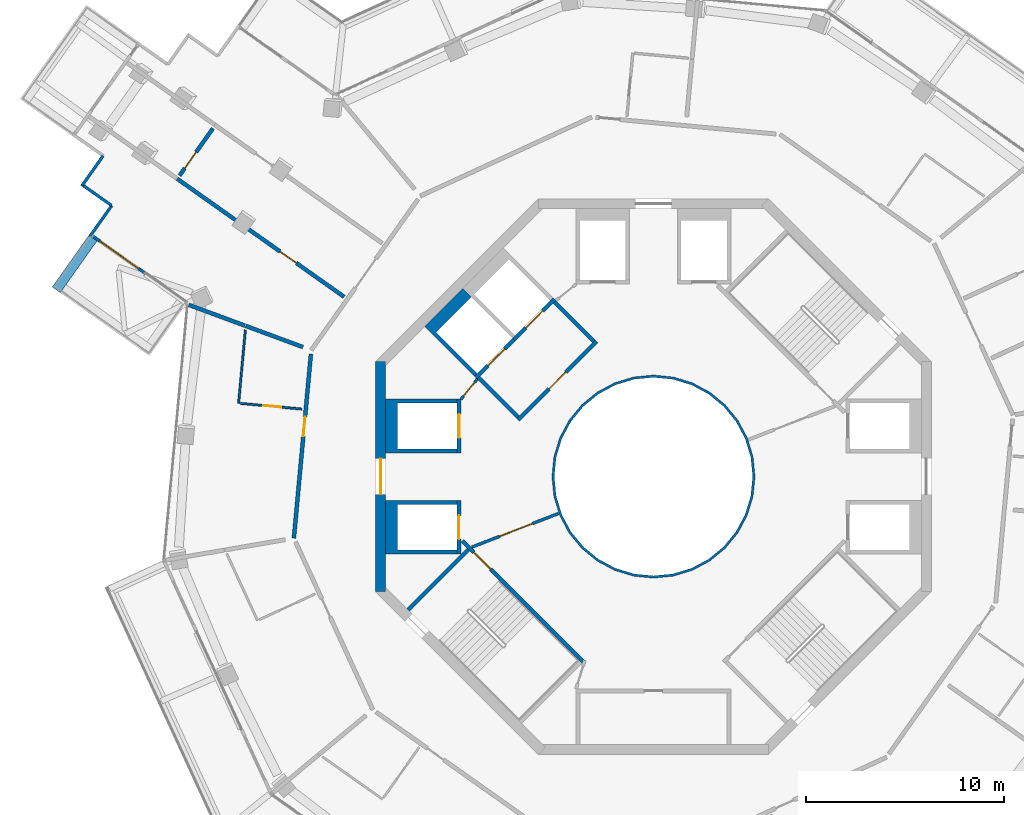
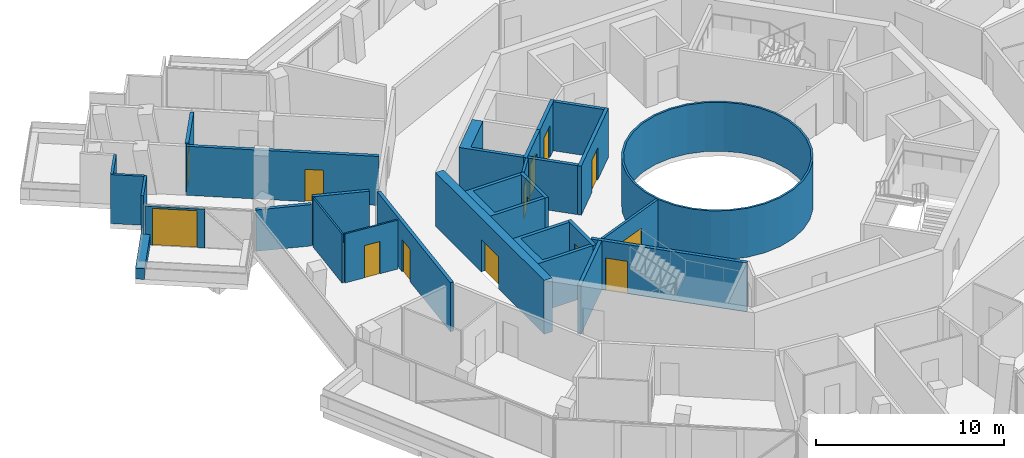
# One storey, part 17 of 23: 28 walls, 14 doors, 14 openings.
"""IFC4 building model written with IfcOpenShell, lengths in metres."""

from ifc_helpers import new_model, si_unit, direction, frame, frame_2d, origin, place, context, subcontext, project, spatial, polyline, rectangle, outline, extrude, material, layer, layer_set, type_object, element, fill, save


model = new_model("IFC4")

# Units and contexts
model_context = context("Model", 3, precision=1e-05, world=origin(), true_north=direction((0.0, 1.0)))
body_context = subcontext(model_context, "Body", "Model", "MODEL_VIEW")
ifc_project = project(units=[si_unit("LENGTHUNIT", "METRE"), si_unit("AREAUNIT", "SQUARE_METRE"), si_unit("VOLUMEUNIT", "CUBIC_METRE"), si_unit("PLANEANGLEUNIT", "RADIAN"), si_unit("MASSUNIT", "GRAM", prefix="KILO")], contexts=[model_context])

# Site, building, storey
site_placement = place(None, origin())
site = spatial("IfcSite", under=ifc_project, at=site_placement, CompositionType="ELEMENT")
building_placement = place(site_placement, origin())
building = spatial("IfcBuilding", under=site, at=building_placement, Name="Verdalira Terraces Hotel", CompositionType="ELEMENT")
storey_placement = place(building_placement, frame((0.0, 0.0, 256.0)))
storey = spatial("IfcBuildingStorey", under=building, at=storey_placement, Name="L63", CompositionType="ELEMENT", Elevation=256.0)

# Walls
ifc_material_1 = material(Name="Fire-resisting glass EI 180", Category="glass")
ifc_layer_1 = layer(ifc_material_1, 0.1201171875)
ifc_layer_set_1 = layer_set([ifc_layer_1], Name="Atrium fire screen 120 mm")
wall_type_1 = type_object("IfcWallType", Name="Atrium fire screen 120 mm", PredefinedType="SOLIDWALL", material=ifc_layer_set_1)
wall_1_placement = place(storey_placement, origin())
element("IfcWall", 1, at=wall_1_placement, inside=storey, type_object=wall_type_1, Name="Atrium fire screen", PredefinedType="SOLIDWALL", context=body_context, shape_type="SweptSolid", body=[
    extrude(outline(polyline([(5.021484, -0.998779), (4.730225, -1.959229), (4.25708, -2.844482), (3.620361, -3.620361), (2.844482, -4.25708), (1.959229, -4.730225), (0.998779, -5.021484), (0.0, -5.120117), (-0.998779, -5.021484), (-1.959229, -4.730225), (-2.844482, -4.25708), (-3.620361, -3.620361), (-4.25708, -2.844482), (-4.730225, -1.959229), (-5.021484, -0.998779), (-5.120117, 0.0), (-5.021484, 0.998779), (-4.730225, 1.959229), (-4.25708, 2.844482), (-3.620361, 3.620361), (-2.844482, 4.25708), (-1.959229, 4.730225), (-0.998779, 5.021484), (0.0, 5.120117), (0.998779, 5.021484), (1.959229, 4.730225), (2.844482, 4.25708), (3.620361, 3.620361), (4.25708, 2.844482), (4.730225, 1.959229), (5.021484, 0.998779), (5.120117, 0.0), (5.021484, -0.998779)]), holes=[polyline([(4.903809, 0.975586), (4.619385, 1.91333), (4.157227, 2.777832), (3.5354, 3.5354), (2.777832, 4.157227), (1.91333, 4.619385), (0.975586, 4.903809), (0.0, 5.0), (-0.975586, 4.903809), (-1.91333, 4.619385), (-2.777832, 4.157227), (-3.5354, 3.5354), (-4.157227, 2.777832), (-4.619385, 1.91333), (-4.903809, 0.975586), (-5.0, 0.0), (-4.903809, -0.975586), (-4.619385, -1.91333), (-4.157227, -2.777832), (-3.5354, -3.5354), (-2.777832, -4.157227), (-1.91333, -4.619385), (-0.975586, -4.903809), (0.0, -5.0), (0.975586, -4.903809), (1.91333, -4.619385), (2.777832, -4.157227), (3.5354, -3.5354), (4.157227, -2.777832), (4.619385, -1.91333), (4.903809, -0.975586), (5.0, 0.0), (4.903809, 0.975586)])]), origin(), (0.0, 0.0, 1.0), 3.189941),
])
ifc_material_2 = material(Name="Concrete C40", Category="concrete")
ifc_layer_2 = layer(ifc_material_2, 0.5)
ifc_layer_set_2 = layer_set([ifc_layer_2], Name="Balcony planter trough with tree")
wall_type_2 = type_object("IfcWallType", Name="Balcony planter trough with tree", PredefinedType="SOLIDWALL", material=ifc_layer_set_2)
wall_2_placement = place(storey_placement, frame((-28.248291, 12.022461, 0.0), z_axis=(0.0, 0.0, 1.0), x_axis=(-0.57759375, -0.816324359, 0.0)))
element("IfcWall", 2, at=wall_2_placement, inside=storey, type_object=wall_type_2, Name="Balcony planter", PredefinedType="SOLIDWALL", context=body_context, shape_type="SweptSolid", body=[
    extrude(rectangle(XDim=3.198975, YDim=0.5, at=frame_2d((1.599609, 0.0))), origin(), (0.0, 0.0, 1.0), 0.699951),
])
ifc_material_3 = material(Name="Moisture-resistant gypsum board partition")
ifc_layer_3 = layer(ifc_material_3, 0.10009765625)
ifc_layer_set_3 = layer_set([ifc_layer_3], Name="Bathroom partition 100 mm")
wall_type_3 = type_object("IfcWallType", Name="Bathroom partition 100 mm", PredefinedType="PARTITIONING", material=ifc_layer_set_3)
wall_3_placement = place(storey_placement, frame((-20.906738, 3.697998, 0.0), z_axis=(0.0, 0.0, 1.0), x_axis=(0.092015462, 0.995757578, 0.0)))
element("IfcWall", 3, at=wall_3_placement, inside=storey, type_object=wall_type_3, Name="Bathroom partition", PredefinedType="PARTITIONING", context=body_context, shape_type="SweptSolid", body=[
    extrude(rectangle(XDim=3.703857, YDim=0.100098, at=frame_2d((1.852051, 0.0))), origin(), (0.0, 0.0, 1.0), 3.189941),
])

# Wall, opening, door
wall_4_placement = place(storey_placement, frame((-20.807129, 3.688721, 0.0), z_axis=(0.0, 0.0, 1.0), x_axis=(0.99575325, -0.092062286, 0.0)))
wall_4 = element("IfcWall", 4, at=wall_4_placement, inside=storey, type_object=wall_type_3, Name="Bathroom partition", PredefinedType="PARTITIONING", context=body_context, shape_type="SweptSolid", body=[
    extrude(rectangle(XDim=3.100098, YDim=0.100098, at=frame_2d((1.550049, 0.0))), origin(), (0.0, 0.0, 1.0), 3.189941),
])
opening_1_placement = place(wall_4_placement, frame((1.149902, 0.0, 0.0)))
opening_1 = element("IfcOpeningElement", 5, at=opening_1_placement, cuts=wall_4, Name="Opening L63-106", PredefinedType="OPENING", context=body_context, shape_type="SweptSolid", body=[
    extrude(rectangle(XDim=0.899902, YDim=2.100098, at=frame_2d((0.449951, 1.050049))), frame((0.0, 0.060059, 0.0), z_axis=(0.0, -1.0, 0.0), x_axis=(1.0, 0.0, 0.0)), (0.0, 0.0, 1.0), 0.120117),
])
ifc_material_4 = material(Name="Timber door", Category="wood")
door_type_1 = type_object("IfcDoorType", Name="Bathroom door 900 x 2100", OperationType="NOTDEFINED", PredefinedType="DOOR", material=ifc_material_4)
door_1_placement = place(opening_1_placement, origin())
door_1 = element("IfcDoor", 6, at=door_1_placement, inside=storey, type_object=door_type_1, Name="Bathroom door 6302", OperationType="SINGLE_SWING_LEFT", OverallHeight=2.10009765625, OverallWidth=0.89990234375, PredefinedType="DOOR", context=body_context, shape_type="SweptSolid", body=[
    extrude(rectangle(XDim=0.899902, YDim=2.100098, at=frame_2d((0.449951, 1.050049))), frame((0.0, 0.024902, 0.0), z_axis=(0.0, -1.0, 0.0), x_axis=(1.0, 0.0, 0.0)), (0.0, 0.0, 1.0), 0.050049),
])
fill(opening_1, door_1)

# Wall
ifc_material_5 = material(Name="Concrete C50", Category="concrete")
ifc_layer_4 = layer(ifc_material_5, 0.199951171875)
ifc_layer_set_4 = layer_set([ifc_layer_4], Name="Core RC wall 200 C50")
wall_type_4 = type_object("IfcWallType", Name="Core RC wall 200 C50", PredefinedType="SOLIDWALL", material=ifc_layer_set_4)
wall_5_placement = place(storey_placement, origin())
element("IfcWall", 7, at=wall_5_placement, inside=storey, type_object=wall_type_4, Name="L63 shaft wall W1", PredefinedType="SOLIDWALL", context=body_context, shape_type="SweptSolid", body=[
    extrude(outline(polyline([(-13.5, 3.899902), (-9.899902, 3.899902), (-9.899902, 3.699951), (-12.899902, 3.699951), (-12.899902, 1.399902), (-9.899902, 1.399902), (-9.899902, 1.199951), (-13.5, 1.199951), (-13.5, 3.899902)])), origin(), (0.0, 0.0, 1.0), 3.189941),
])

# Wall, opening, door
wall_6_placement = place(storey_placement, frame((-9.800049, 1.199951, 0.0), z_axis=(0.0, 0.0, 1.0), x_axis=(0.0, 1.0, 0.0)))
wall_6 = element("IfcWall", 8, at=wall_6_placement, inside=storey, type_object=wall_type_4, Name="L63 shaft front wall W1", PredefinedType="SOLIDWALL", context=body_context, shape_type="SweptSolid", body=[
    extrude(rectangle(XDim=2.699951, YDim=0.199951, at=frame_2d((1.350098, 0.0))), origin(), (0.0, 0.0, 1.0), 3.189941),
])
opening_2_placement = place(wall_6_placement, frame((0.75, 0.0, 0.0)))
opening_2 = element("IfcOpeningElement", 9, at=opening_2_placement, cuts=wall_6, Name="Opening LD-L63-806", PredefinedType="OPENING", context=body_context, shape_type="SweptSolid", body=[
    extrude(rectangle(XDim=1.199951, YDim=2.100098, at=frame_2d((0.600098, 1.050049))), frame((0.0, 0.109863, 0.0), z_axis=(0.0, -1.0, 0.0), x_axis=(1.0, 0.0, 0.0)), (0.0, 0.0, 1.0), 0.219971),
])
ifc_material_6 = material(Name="Stainless steel", Category="steel")
door_type_2 = type_object("IfcDoorType", Name="Landing door 1200 x 2100", OperationType="NOTDEFINED", PredefinedType="DOOR", material=ifc_material_6)
door_2_placement = place(opening_2_placement, origin())
door_2 = element("IfcDoor", 10, at=door_2_placement, inside=storey, type_object=door_type_2, Name="Lift landing door HR5 L63", OperationType="DOUBLE_DOOR_SLIDING", OverallHeight=2.10009765625, OverallWidth=1.199951171875, PredefinedType="DOOR", context=body_context, shape_type="SweptSolid", body=[
    extrude(rectangle(XDim=1.199951, YDim=2.100098, at=frame_2d((0.600098, 1.050049))), frame((0.0, 0.024902, 0.0), z_axis=(0.0, -1.0, 0.0), x_axis=(1.0, 0.0, 0.0)), (0.0, 0.0, 1.0), 0.050049),
])
fill(opening_2, door_2)

# Wall
wall_7_placement = place(storey_placement, origin())
element("IfcWall", 11, at=wall_7_placement, inside=storey, type_object=wall_type_4, Name="L63 shaft wall W2", PredefinedType="SOLIDWALL", context=body_context, shape_type="SweptSolid", body=[
    extrude(outline(polyline([(-13.5, -3.899902), (-13.5, -1.199951), (-9.899902, -1.199951), (-9.899902, -1.399902), (-12.899902, -1.399902), (-12.899902, -3.699951), (-9.899902, -3.699951), (-9.899902, -3.899902), (-13.5, -3.899902)])), origin(), (0.0, 0.0, 1.0), 3.189941),
])

# Wall, opening, door
wall_8_placement = place(storey_placement, frame((-9.800049, -1.199951, 0.0), z_axis=(0.0, 0.0, 1.0), x_axis=(0.0, -1.0, 0.0)))
wall_8 = element("IfcWall", 12, at=wall_8_placement, inside=storey, type_object=wall_type_4, Name="L63 shaft front wall W2", PredefinedType="SOLIDWALL", context=body_context, shape_type="SweptSolid", body=[
    extrude(rectangle(XDim=2.699951, YDim=0.199951, at=frame_2d((1.350098, 0.0))), origin(), (0.0, 0.0, 1.0), 3.189941),
])
opening_3_placement = place(wall_8_placement, frame((0.75, 0.0, 0.0)))
opening_3 = element("IfcOpeningElement", 13, at=opening_3_placement, cuts=wall_8, Name="Opening LD-L63-807", PredefinedType="OPENING", context=body_context, shape_type="SweptSolid", body=[
    extrude(rectangle(XDim=1.199951, YDim=2.100098, at=frame_2d((0.600098, 1.050049))), frame((0.0, 0.109863, 0.0), z_axis=(0.0, -1.0, 0.0), x_axis=(1.0, 0.0, 0.0)), (0.0, 0.0, 1.0), 0.219971),
])
door_3_placement = place(opening_3_placement, origin())
door_3 = element("IfcDoor", 14, at=door_3_placement, inside=storey, type_object=door_type_2, Name="Lift landing door HR6 L63", OperationType="DOUBLE_DOOR_SLIDING", OverallHeight=2.10009765625, OverallWidth=1.199951171875, PredefinedType="DOOR", context=body_context, shape_type="SweptSolid", body=[
    extrude(rectangle(XDim=1.199951, YDim=2.100098, at=frame_2d((0.600098, 1.050049))), frame((0.0, 0.024902, 0.0), z_axis=(0.0, -1.0, 0.0), x_axis=(1.0, 0.0, 0.0)), (0.0, 0.0, 1.0), 0.050049),
])
fill(opening_3, door_3)

wall_9_placement = place(storey_placement, frame((-4.985107, 8.944824, 0.0), z_axis=(0.0, 0.0, 1.0), x_axis=(-0.707106781, -0.707106781, 0.0)))
wall_9 = element("IfcWall", 15, at=wall_9_placement, inside=storey, type_object=wall_type_4, Name="L63 shaft front wall F1", PredefinedType="SOLIDWALL", context=body_context, shape_type="SweptSolid", body=[
    extrude(rectangle(XDim=2.899902, YDim=0.199951, at=frame_2d((1.449951, 0.0))), origin(), (0.0, 0.0, 1.0), 3.189941),
])
opening_4_placement = place(wall_9_placement, frame((0.850098, 0.0, 0.0)))
opening_4 = element("IfcOpeningElement", 16, at=opening_4_placement, cuts=wall_9, Name="Opening LD-L63-808", PredefinedType="OPENING", context=body_context, shape_type="SweptSolid", body=[
    extrude(rectangle(XDim=1.199951, YDim=2.100098, at=frame_2d((0.600098, 1.050049))), frame((0.0, 0.109863, 0.0), z_axis=(0.0, -1.0, 0.0), x_axis=(1.0, 0.0, 0.0)), (0.0, 0.0, 1.0), 0.219971),
])
door_4_placement = place(opening_4_placement, origin())
door_4 = element("IfcDoor", 17, at=door_4_placement, inside=storey, type_object=door_type_2, Name="Lift landing door LF11 L63", OperationType="DOUBLE_DOOR_SLIDING", OverallHeight=2.10009765625, OverallWidth=1.199951171875, PredefinedType="DOOR", context=body_context, shape_type="SweptSolid", body=[
    extrude(rectangle(XDim=1.199951, YDim=2.100098, at=frame_2d((0.600098, 1.050049))), frame((0.0, 0.024902, 0.0), z_axis=(0.0, -1.0, 0.0), x_axis=(1.0, 0.0, 0.0)), (0.0, 0.0, 1.0), 0.050049),
])
fill(opening_4, door_4)

# Wall
wall_10_placement = place(storey_placement, origin())
element("IfcWall", 18, at=wall_10_placement, inside=storey, type_object=wall_type_4, Name="L63 shaft wall F2", PredefinedType="SOLIDWALL", context=body_context, shape_type="SweptSolid", body=[
    extrude(outline(polyline([(-11.525879, 7.565918), (-9.616699, 9.475098), (-9.192383, 9.051025), (-10.960205, 7.283203), (-8.874268, 5.197266), (-9.015625, 5.055908), (-11.525879, 7.565918)])), origin(), (0.0, 0.0, 1.0), 3.189941),
])

# Wall, opening, door
wall_11_placement = place(storey_placement, frame((-7.035645, 6.894287, 0.0), z_axis=(0.0, 0.0, 1.0), x_axis=(-0.707106781, -0.707106781, 0.0)))
wall_11 = element("IfcWall", 19, at=wall_11_placement, inside=storey, type_object=wall_type_4, Name="L63 shaft front wall F2", PredefinedType="SOLIDWALL", context=body_context, shape_type="SweptSolid", body=[
    extrude(rectangle(XDim=2.699951, YDim=0.199951, at=frame_2d((1.350098, 0.0))), origin(), (0.0, 0.0, 1.0), 3.189941),
])
opening_5_placement = place(wall_11_placement, frame((0.649902, 0.0, 0.0)))
opening_5 = element("IfcOpeningElement", 20, at=opening_5_placement, cuts=wall_11, Name="Opening LD-L63-809", PredefinedType="OPENING", context=body_context, shape_type="SweptSolid", body=[
    extrude(rectangle(XDim=1.199951, YDim=2.100098, at=frame_2d((0.600098, 1.050049))), frame((0.0, 0.109863, 0.0), z_axis=(0.0, -1.0, 0.0), x_axis=(1.0, 0.0, 0.0)), (0.0, 0.0, 1.0), 0.219971),
])
door_5_placement = place(opening_5_placement, origin())
door_5 = element("IfcDoor", 21, at=door_5_placement, inside=storey, type_object=door_type_2, Name="Lift landing door LF12 L63", OperationType="DOUBLE_DOOR_SLIDING", OverallHeight=2.10009765625, OverallWidth=1.199951171875, PredefinedType="DOOR", context=body_context, shape_type="SweptSolid", body=[
    extrude(rectangle(XDim=1.199951, YDim=2.100098, at=frame_2d((0.600098, 1.050049))), frame((0.0, 0.024902, 0.0), z_axis=(0.0, -1.0, 0.0), x_axis=(1.0, 0.0, 0.0)), (0.0, 0.0, 1.0), 0.050049),
])
fill(opening_5, door_5)

wall_12_placement = place(storey_placement, frame((-3.5354, -9.33374, 0.0), z_axis=(0.0, 0.0, 1.0), x_axis=(-0.707120946, 0.707092617, 0.0)))
wall_12 = element("IfcWall", 22, at=wall_12_placement, inside=storey, type_object=wall_type_4, Name="L63 stair ST2 front wall", PredefinedType="SOLIDWALL", context=body_context, shape_type="SweptSolid", body=[
    extrude(rectangle(XDim=8.61792, YDim=0.199951, at=frame_2d((4.309082, 0.0))), origin(), (0.0, 0.0, 1.0), 3.189941),
])
opening_6_placement = place(wall_12_placement, frame((6.600098, 0.0, 0.0)))
opening_6 = element("IfcOpeningElement", 23, at=opening_6_placement, cuts=wall_12, Name="Opening L63-811", PredefinedType="OPENING", context=body_context, shape_type="SweptSolid", body=[
    extrude(rectangle(XDim=1.199951, YDim=2.100098, at=frame_2d((0.600098, 1.050049))), frame((0.0, 0.109863, 0.0), z_axis=(0.0, -1.0, 0.0), x_axis=(1.0, 0.0, 0.0)), (0.0, 0.0, 1.0), 0.219971),
])
ifc_material_7 = material(Name="Steel fire door", Category="steel")
door_type_3 = type_object("IfcDoorType", Name="Stair door 1200 x 2100", OperationType="NOTDEFINED", PredefinedType="DOOR", material=ifc_material_7)
door_6_placement = place(opening_6_placement, origin())
door_6 = element("IfcDoor", 24, at=door_6_placement, inside=storey, type_object=door_type_3, Name="Stair door ST2 L63", OperationType="SINGLE_SWING_RIGHT", OverallHeight=2.10009765625, OverallWidth=1.199951171875, PredefinedType="DOOR", context=body_context, shape_type="SweptSolid", body=[
    extrude(rectangle(XDim=1.199951, YDim=2.100098, at=frame_2d((0.600098, 1.050049))), frame((0.0, 0.024902, 0.0), z_axis=(0.0, -1.0, 0.0), x_axis=(1.0, 0.0, 0.0)), (0.0, 0.0, 1.0), 0.050049),
])
fill(opening_6, door_6)

# Wall
wall_13_placement = place(storey_placement, frame((-9.33374, -3.677002, 0.0), z_axis=(0.0, 0.0, 1.0), x_axis=(-0.707135168, -0.707078393, 0.0)))
element("IfcWall", 25, at=wall_13_placement, inside=storey, type_object=wall_type_4, Name="L63 stair ST2 end wall 1", PredefinedType="SOLIDWALL", context=body_context, shape_type="SweptSolid", body=[
    extrude(rectangle(XDim=4.300049, YDim=0.199951, at=frame_2d((2.149902, 0.0))), origin(), (0.0, 0.0, 1.0), 3.189941),
])

# Wall, opening, door
wall_14_placement = place(storey_placement, frame((-2.86377, 6.823486, 0.0), z_axis=(0.0, 0.0, 1.0), x_axis=(-0.707106781, -0.707106781, 0.0)))
wall_14 = element("IfcWall", 26, at=wall_14_placement, inside=storey, type_object=wall_type_4, Name="L63 fire lobby wall", PredefinedType="SOLIDWALL", context=body_context, shape_type="SweptSolid", body=[
    extrude(rectangle(XDim=5.599854, YDim=0.199951, at=frame_2d((2.799805, 0.0))), origin(), (0.0, 0.0, 1.0), 3.189941),
])
opening_7_placement = place(wall_14_placement, frame((2.199951, 0.0, 0.0)))
opening_7 = element("IfcOpeningElement", 27, at=opening_7_placement, cuts=wall_14, Name="Opening L63-819", PredefinedType="OPENING", context=body_context, shape_type="SweptSolid", body=[
    extrude(rectangle(XDim=1.199951, YDim=2.100098, at=frame_2d((0.600098, 1.050049))), frame((0.0, 0.109863, 0.0), z_axis=(0.0, -1.0, 0.0), x_axis=(1.0, 0.0, 0.0)), (0.0, 0.0, 1.0), 0.219971),
])
ifc_material_8 = material(Name="Steel fire door", Category="steel")
door_type_4 = type_object("IfcDoorType", Name="Lobby door 1200 x 2100", OperationType="NOTDEFINED", PredefinedType="DOOR", material=ifc_material_8)
door_7_placement = place(opening_7_placement, origin())
door_7 = element("IfcDoor", 28, at=door_7_placement, inside=storey, type_object=door_type_4, Name="Fire lobby door L63", OperationType="SINGLE_SWING_LEFT", OverallHeight=2.10009765625, OverallWidth=1.199951171875, PredefinedType="DOOR", context=body_context, shape_type="SweptSolid", body=[
    extrude(rectangle(XDim=1.199951, YDim=2.100098, at=frame_2d((0.600098, 1.050049))), frame((0.0, 0.024902, 0.0), z_axis=(0.0, -1.0, 0.0), x_axis=(1.0, 0.0, 0.0)), (0.0, 0.0, 1.0), 0.050049),
])
fill(opening_7, door_7)

# Walls
for number, where, z_axis, x_axis, name in (
    (29, (-3.005127, 6.823486, 0.0), (0.0, 0.0, 1.0), (-0.707106781, 0.707106781, 0.0), "L63 fire lobby wall"),
    (30, (-6.823486, 3.005127, 0.0), (0.0, 0.0, 1.0), (-0.707106781, 0.707106781, 0.0), "L63 fire lobby wall"),
):
    element("IfcWall", number, at=place(storey_placement, frame(where, z_axis=z_axis, x_axis=x_axis)), inside=storey, type_object=wall_type_4, Name=name, PredefinedType="SOLIDWALL", context=body_context, shape_type="SweptSolid", body=[
        extrude(rectangle(XDim=2.800049, YDim=0.199951, at=frame_2d((1.399902, 0.0))), origin(), (0.0, 0.0, 1.0), 3.189941),
    ])

# Wall, opening, door
ifc_material_9 = material(Name="Gypsum board partition")
ifc_layer_5 = layer(ifc_material_9, 0.14990234375)
ifc_layer_set_5 = layer_set([ifc_layer_5], Name="Core partition 150 mm")
wall_type_5 = type_object("IfcWallType", Name="Core partition 150 mm", PredefinedType="PARTITIONING", material=ifc_layer_set_5)
wall_15_placement = place(storey_placement, frame((-8.874268, 4.914307, 0.0), z_axis=(0.0, 0.0, 1.0), x_axis=(-0.631274009, -0.775559878, 0.0)))
wall_15 = element("IfcWall", 31, at=wall_15_placement, inside=storey, type_object=wall_type_5, Name="Room partition L63", PredefinedType="PARTITIONING", context=body_context, shape_type="SweptSolid", body=[
    extrude(rectangle(XDim=1.307861, YDim=0.149902, at=frame_2d((0.653809, 0.0))), origin(), (0.0, 0.0, 1.0), 3.189941),
])
opening_8_placement = place(wall_15_placement, frame((0.204102, 0.0, 0.0)))
opening_8 = element("IfcOpeningElement", 32, at=opening_8_placement, cuts=wall_15, Name="Opening L63-821", PredefinedType="OPENING", context=body_context, shape_type="SweptSolid", body=[
    extrude(rectangle(XDim=0.899902, YDim=2.100098, at=frame_2d((0.449951, 1.050049))), frame((0.0, 0.084961, 0.0), z_axis=(0.0, -1.0, 0.0), x_axis=(1.0, 0.0, 0.0)), (0.0, 0.0, 1.0), 0.169922),
])
ifc_material_10 = material(Name="Steel fire door", Category="steel")
door_type_5 = type_object("IfcDoorType", Name="Core room door 900 x 2100", OperationType="NOTDEFINED", PredefinedType="DOOR", material=ifc_material_10)
door_8_placement = place(opening_8_placement, origin())
door_8 = element("IfcDoor", 33, at=door_8_placement, inside=storey, type_object=door_type_5, Name="Door L63 room3", OperationType="SINGLE_SWING_LEFT", OverallHeight=2.10009765625, OverallWidth=0.89990234375, PredefinedType="DOOR", context=body_context, shape_type="SweptSolid", body=[
    extrude(rectangle(XDim=0.899902, YDim=2.100098, at=frame_2d((0.449951, 1.050049))), frame((0.0, 0.024902, 0.0), z_axis=(0.0, -1.0, 0.0), x_axis=(1.0, 0.0, 0.0)), (0.0, 0.0, 1.0), 0.050049),
])
fill(opening_8, door_8)

wall_16_placement = place(storey_placement, frame((-4.781982, -1.857178, 0.0), z_axis=(0.0, 0.0, 1.0), x_axis=(-0.932155279, -0.362058746, 0.0)))
wall_16 = element("IfcWall", 34, at=wall_16_placement, inside=storey, type_object=wall_type_5, Name="Gallery fire partition L63", PredefinedType="PARTITIONING", context=body_context, shape_type="SweptSolid", body=[
    extrude(rectangle(XDim=4.682373, YDim=0.149902, at=frame_2d((2.341309, 0.0))), origin(), (0.0, 0.0, 1.0), 3.189941),
])
opening_9_placement = place(wall_16_placement, frame((1.399902, 0.0, 0.0)))
opening_9 = element("IfcOpeningElement", 35, at=opening_9_placement, cuts=wall_16, Name="Opening L63-824", PredefinedType="OPENING", context=body_context, shape_type="SweptSolid", body=[
    extrude(rectangle(XDim=1.800049, YDim=2.100098, at=frame_2d((0.899902, 1.050049))), frame((0.0, 0.084961, 0.0), z_axis=(0.0, -1.0, 0.0), x_axis=(1.0, 0.0, 0.0)), (0.0, 0.0, 1.0), 0.169922),
])
ifc_material_11 = material(Name="Steel fire door", Category="steel")
door_type_6 = type_object("IfcDoorType", Name="Gallery fire door pair 1800 x 2100", OperationType="NOTDEFINED", PredefinedType="DOOR", material=ifc_material_11)
door_9_placement = place(opening_9_placement, origin())
door_9 = element("IfcDoor", 36, at=door_9_placement, inside=storey, type_object=door_type_6, Name="Door L63 split4", OperationType="DOUBLE_DOOR_SINGLE_SWING", OverallHeight=2.10009765625, OverallWidth=1.800048828125, PredefinedType="DOOR", context=body_context, shape_type="SweptSolid", body=[
    extrude(rectangle(XDim=1.800049, YDim=2.100098, at=frame_2d((0.899902, 1.050049))), frame((0.0, 0.024902, 0.0), z_axis=(0.0, -1.0, 0.0), x_axis=(1.0, 0.0, 0.0)), (0.0, 0.0, 1.0), 0.050049),
])
fill(opening_9, door_9)

ifc_material_12 = material(Name="Concrete C50", Category="concrete")
ifc_layer_6 = layer(ifc_material_12, 0.5)
ifc_layer_set_6 = layer_set([ifc_layer_6], Name="Core wall 500 C50")
wall_type_6 = type_object("IfcWallType", Name="Core wall 500 C50", PredefinedType="SHEAR", material=ifc_layer_set_6)
wall_17_placement = place(storey_placement, frame((-13.75, 5.799072, 0.0), z_axis=(0.0, 0.0, 1.0), x_axis=(0.0, -1.0, 0.0)))
wall_17 = element("IfcWall", 37, at=wall_17_placement, inside=storey, type_object=wall_type_6, Name="Core wall CW-L63-5", PredefinedType="SHEAR", context=body_context, shape_type="SweptSolid", body=[
    extrude(rectangle(XDim=11.598145, YDim=0.5, at=frame_2d((5.799072, 0.0))), origin(), (0.0, 0.0, 1.0), 3.5),
])
opening_10_placement = place(wall_17_placement, frame((4.898926, 0.0, 0.0)))
opening_10 = element("IfcOpeningElement", 38, at=opening_10_placement, cuts=wall_17, Name="Opening L63-815", PredefinedType="OPENING", context=body_context, shape_type="SweptSolid", body=[
    extrude(rectangle(XDim=1.800049, YDim=2.100098, at=frame_2d((0.899902, 1.050049))), frame((0.0, 0.26001, 0.0), z_axis=(0.0, -1.0, 0.0), x_axis=(1.0, 0.0, 0.0)), (0.0, 0.0, 1.0), 0.52002),
])
ifc_material_13 = material(Name="Steel fire door", Category="steel")
door_type_7 = type_object("IfcDoorType", Name="Core entry door pair 1800 x 2100", OperationType="NOTDEFINED", PredefinedType="DOOR", material=ifc_material_13)
door_10_placement = place(opening_10_placement, origin())
door_10 = element("IfcDoor", 39, at=door_10_placement, inside=storey, type_object=door_type_7, Name="Core entry door L63 4", OperationType="DOUBLE_DOOR_SINGLE_SWING", OverallHeight=2.10009765625, OverallWidth=1.800048828125, PredefinedType="DOOR", context=body_context, shape_type="SweptSolid", body=[
    extrude(rectangle(XDim=1.800049, YDim=2.100098, at=frame_2d((0.899902, 1.050049))), frame((0.0, 0.024902, 0.0), z_axis=(0.0, -1.0, 0.0), x_axis=(1.0, 0.0, 0.0)), (0.0, 0.0, 1.0), 0.050049),
])
fill(opening_10, door_10)

ifc_material_14 = material(Name="Fire-rated gypsum board wall")
ifc_layer_7 = layer(ifc_material_14, 0.199951171875)
ifc_layer_set_7 = layer_set([ifc_layer_7], Name="Demising wall 200 mm")
wall_type_7 = type_object("IfcWallType", Name="Demising wall 200 mm", PredefinedType="SOLIDWALL", material=ifc_layer_set_7)
wall_18_placement = place(storey_placement, frame((-23.882812, 15.170166, 0.0), z_axis=(0.0, 0.0, 1.0), x_axis=(0.577564111, 0.81634533, 0.0)))
wall_18 = element("IfcWall", 40, at=wall_18_placement, inside=storey, type_object=wall_type_7, Name="Demising wall", PredefinedType="SOLIDWALL", context=body_context, shape_type="SweptSolid", body=[
    extrude(rectangle(XDim=2.915039, YDim=0.199951, at=frame_2d((1.45752, 0.0))), origin(), (0.0, 0.0, 1.0), 3.189941),
])
opening_11_placement = place(wall_18_placement, frame((0.449951, 0.0, 0.0)))
opening_11 = element("IfcOpeningElement", 41, at=opening_11_placement, cuts=wall_18, Name="Opening L63-104", PredefinedType="OPENING", context=body_context, shape_type="SweptSolid", body=[
    extrude(rectangle(XDim=1.0, YDim=2.100098, at=frame_2d((0.5, 1.050049))), frame((0.0, 0.109863, 0.0), z_axis=(0.0, -1.0, 0.0), x_axis=(1.0, 0.0, 0.0)), (0.0, 0.0, 1.0), 0.219971),
])
ifc_material_15 = material(Name="Timber fire door", Category="wood")
door_type_8 = type_object("IfcDoorType", Name="Public room door 1000 x 2100", OperationType="NOTDEFINED", PredefinedType="DOOR", material=ifc_material_15)
door_11_placement = place(opening_11_placement, origin())
door_11 = element("IfcDoor", 42, at=door_11_placement, inside=storey, type_object=door_type_8, Name="Public room door 6301", OperationType="SINGLE_SWING_LEFT", OverallHeight=2.10009765625, OverallWidth=1.0, PredefinedType="DOOR", context=body_context, shape_type="SweptSolid", body=[
    extrude(rectangle(XDim=1.0, YDim=2.100098, at=frame_2d((0.5, 1.050049))), frame((0.0, 0.024902, 0.0), z_axis=(0.0, -1.0, 0.0), x_axis=(1.0, 0.0, 0.0)), (0.0, 0.0, 1.0), 0.050049),
])
fill(opening_11, door_11)

wall_19_placement = place(storey_placement, frame((-15.589844, 9.058105, 0.0), z_axis=(0.0, 0.0, 1.0), x_axis=(-0.816355957, 0.57754909, 0.0)))
wall_19 = element("IfcWall", 43, at=wall_19_placement, inside=storey, type_object=wall_type_7, Name="Demising wall", PredefinedType="SOLIDWALL", context=body_context, shape_type="SweptSolid", body=[
    extrude(rectangle(XDim=10.302002, YDim=0.199951, at=frame_2d((5.150879, 0.0))), origin(), (0.0, 0.0, 1.0), 3.189941),
])
opening_12_placement = place(wall_19_placement, frame((2.949951, 0.0, 0.0)))
opening_12 = element("IfcOpeningElement", 44, at=opening_12_placement, cuts=wall_19, Name="Opening L63-103", PredefinedType="OPENING", context=body_context, shape_type="SweptSolid", body=[
    extrude(rectangle(XDim=1.0, YDim=2.100098, at=frame_2d((0.5, 1.050049))), frame((0.0, 0.109863, 0.0), z_axis=(0.0, -1.0, 0.0), x_axis=(1.0, 0.0, 0.0)), (0.0, 0.0, 1.0), 0.219971),
])
door_12_placement = place(opening_12_placement, origin())
door_12 = element("IfcDoor", 45, at=door_12_placement, inside=storey, type_object=door_type_8, Name="Public room door 6301", OperationType="SINGLE_SWING_LEFT", OverallHeight=2.10009765625, OverallWidth=1.0, PredefinedType="DOOR", context=body_context, shape_type="SweptSolid", body=[
    extrude(rectangle(XDim=1.0, YDim=2.100098, at=frame_2d((0.5, 1.050049))), frame((0.0, 0.024902, 0.0), z_axis=(0.0, -1.0, 0.0), x_axis=(1.0, 0.0, 0.0)), (0.0, 0.0, 1.0), 0.050049),
])
fill(opening_12, door_12)

# Walls
wall_20_placement = place(storey_placement, frame((-17.664551, 6.527344, 0.0), z_axis=(0.0, 0.0, 1.0), x_axis=(-0.938011897, 0.346603059, 0.0)))
element("IfcWall", 46, at=wall_20_placement, inside=storey, type_object=wall_type_7, Name="Demising wall", PredefinedType="SOLIDWALL", context=body_context, shape_type="SweptSolid", body=[
    extrude(rectangle(XDim=3.074707, YDim=0.199951, at=frame_2d((1.537354, 0.0))), origin(), (0.0, 0.0, 1.0), 3.189941),
])
ifc_material_16 = material(Name="Fire-rated gypsum board wall")
ifc_layer_8 = layer(ifc_material_16, 0.199951171875)
ifc_layer_set_8 = layer_set([ifc_layer_8], Name="Demising wall 200 mm to beam soffit")
wall_type_8 = type_object("IfcWallType", Name="Demising wall 200 mm to beam soffit", PredefinedType="SOLIDWALL", material=ifc_layer_set_8)
wall_21_placement = place(storey_placement, frame((-20.591797, 7.608887, 0.0), z_axis=(0.0, 0.0, 1.0), x_axis=(-0.93799106, 0.346659445, 0.0)))
element("IfcWall", 47, at=wall_21_placement, inside=storey, type_object=wall_type_8, Name="Demising wall", PredefinedType="SOLIDWALL", context=body_context, shape_type="SweptSolid", body=[
    extrude(rectangle(XDim=3.011475, YDim=0.199951, at=frame_2d((1.505859, 0.0))), origin(), (0.0, 0.0, 1.0), 2.689941),
])

# Wall, opening, door
ifc_material_17 = material(Name="Fire-rated gypsum board wall")
ifc_layer_9 = layer(ifc_material_17, 0.199951171875)
ifc_layer_set_9 = layer_set([ifc_layer_9], Name="Guest corridor wall 200 mm")
wall_type_9 = type_object("IfcWallType", Name="Guest corridor wall 200 mm", PredefinedType="SOLIDWALL", material=ifc_layer_set_9)
wall_22_placement = place(storey_placement, frame((-18.12085, -3.104004, 0.0), z_axis=(0.0, 0.0, 1.0), x_axis=(0.092031251, 0.995756119, 0.0)))
wall_22 = element("IfcWall", 48, at=wall_22_placement, inside=storey, type_object=wall_type_9, Name="Guest corridor wall", PredefinedType="SOLIDWALL", context=body_context, shape_type="SweptSolid", body=[
    extrude(rectangle(XDim=9.31665, YDim=0.199951, at=frame_2d((4.658203, 0.0))), origin(), (0.0, 0.0, 1.0), 3.189941),
])
opening_13_placement = place(wall_22_placement, frame((5.149902, 0.0, 0.0)))
opening_13 = element("IfcOpeningElement", 49, at=opening_13_placement, cuts=wall_22, Name="Opening L63-105", PredefinedType="OPENING", context=body_context, shape_type="SweptSolid", body=[
    extrude(rectangle(XDim=1.0, YDim=2.100098, at=frame_2d((0.5, 1.050049))), frame((0.0, 0.109863, 0.0), z_axis=(0.0, -1.0, 0.0), x_axis=(1.0, 0.0, 0.0)), (0.0, 0.0, 1.0), 0.219971),
])
ifc_material_18 = material(Name="Timber fire door", Category="wood")
door_type_9 = type_object("IfcDoorType", Name="Guest entry door 1000 x 2100", OperationType="NOTDEFINED", PredefinedType="DOOR", material=ifc_material_18)
door_13_placement = place(opening_13_placement, origin())
door_13 = element("IfcDoor", 50, at=door_13_placement, inside=storey, type_object=door_type_9, Name="Guest entry door 6302", OperationType="SINGLE_SWING_LEFT", OverallHeight=2.10009765625, OverallWidth=1.0, PredefinedType="DOOR", context=body_context, shape_type="SweptSolid", body=[
    extrude(rectangle(XDim=1.0, YDim=2.100098, at=frame_2d((0.5, 1.050049))), frame((0.0, 0.024902, 0.0), z_axis=(0.0, -1.0, 0.0), x_axis=(1.0, 0.0, 0.0)), (0.0, 0.0, 1.0), 0.050049),
])
fill(opening_13, door_13)

# Walls
ifc_material_19 = material(Name="Terracotta cladding", Category="masonry")
ifc_layer_10 = layer(ifc_material_19, 0.14990234375)
ifc_layer_set_10 = layer_set([ifc_layer_10], Name="Terracotta clad wall 150")
wall_type_10 = type_object("IfcWallType", Name="Terracotta clad wall 150", PredefinedType="SOLIDWALL", material=ifc_layer_set_10)
wall_23_placement = place(storey_placement, frame((-27.737549, 16.164062, 0.0), z_axis=(0.0, 0.0, 1.0), x_axis=(-0.577524253, -0.816373528, 0.0)))
element("IfcWall", 51, at=wall_23_placement, inside=storey, type_object=wall_type_10, Name="Terracotta cladding wall", PredefinedType="SOLIDWALL", context=body_context, shape_type="SweptSolid", body=[
    extrude(rectangle(XDim=1.800049, YDim=0.149902, at=frame_2d((0.899902, 0.0))), origin(), (0.0, 0.0, 1.0), 3.189941),
])
wall_24_placement = place(storey_placement, frame((-28.838379, 14.738037, 0.0), z_axis=(0.0, 0.0, 1.0), x_axis=(0.816346766, -0.577562082, 0.0)))
element("IfcWall", 52, at=wall_24_placement, inside=storey, type_object=wall_type_10, Name="Terracotta cladding wall", PredefinedType="SOLIDWALL", context=body_context, shape_type="SweptSolid", body=[
    extrude(rectangle(XDim=1.875244, YDim=0.149902, at=frame_2d((0.9375, 0.0))), origin(), (0.0, 0.0, 1.0), 3.189941),
])
wall_25_placement = place(storey_placement, frame((-27.307617, 13.655029, 0.0), z_axis=(0.0, 0.0, 1.0), x_axis=(-0.577623474, -0.816303327, 0.0)))
element("IfcWall", 53, at=wall_25_placement, inside=storey, type_object=wall_type_10, Name="Terracotta cladding wall", PredefinedType="SOLIDWALL", context=body_context, shape_type="SweptSolid", body=[
    extrude(rectangle(XDim=1.875, YDim=0.149902, at=frame_2d((0.9375, 0.0))), origin(), (0.0, 0.0, 1.0), 3.189941),
])

# Wall, opening, door
ifc_material_20 = material(Name="Terracotta cladding", Category="masonry")
ifc_layer_11 = layer(ifc_material_20, 0.14990234375)
ifc_layer_set_11 = layer_set([ifc_layer_11], Name="Terracotta door pier 150")
wall_type_11 = type_object("IfcWallType", Name="Terracotta door pier 150", PredefinedType="SOLIDWALL", material=ifc_layer_set_11)
wall_26_placement = place(storey_placement, frame((-28.229004, 12.101807, 0.0), z_axis=(0.0, 0.0, 1.0), x_axis=(0.816354224, -0.57755154, 0.0)))
wall_26 = element("IfcWall", 54, at=wall_26_placement, inside=storey, type_object=wall_type_11, Name="Terracotta door pier", PredefinedType="SOLIDWALL", context=body_context, shape_type="SweptSolid", body=[
    extrude(rectangle(XDim=3.199951, YDim=0.149902, at=frame_2d((1.600098, 0.0))), origin(), (0.0, 0.0, 1.0), 2.524902),
])
opening_14_placement = place(wall_26_placement, frame((0.399902, 0.0, 0.0)))
opening_14 = element("IfcOpeningElement", 55, at=opening_14_placement, cuts=wall_26, Name="Opening L63-B03", PredefinedType="OPENING", context=body_context, shape_type="SweptSolid", body=[
    extrude(rectangle(XDim=2.399902, YDim=2.399902, at=frame_2d((1.199951, 1.199951))), frame((0.0, 0.084961, 0.0), z_axis=(0.0, -1.0, 0.0), x_axis=(1.0, 0.0, 0.0)), (0.0, 0.0, 1.0), 0.169922),
])
ifc_material_21 = material(Name="Clear glass", Category="glass")
door_type_10 = type_object("IfcDoorType", Name="Balcony sliding door 2400x2400", OperationType="NOTDEFINED", PredefinedType="DOOR", material=ifc_material_21)
door_14_placement = place(opening_14_placement, origin())
door_14 = element("IfcDoor", 56, at=door_14_placement, inside=storey, type_object=door_type_10, Name="Balcony sliding door", OperationType="SLIDING_TO_LEFT", OverallHeight=2.39990234375, OverallWidth=2.39990234375, PredefinedType="DOOR", context=body_context, shape_type="SweptSolid", body=[
    extrude(rectangle(XDim=2.399902, YDim=2.399902, at=frame_2d((1.199951, 1.199951))), frame((0.0, 0.024902, 0.0), z_axis=(0.0, -1.0, 0.0), x_axis=(1.0, 0.0, 0.0)), (0.0, 0.0, 1.0), 0.050049),
])
fill(opening_14, door_14)

save(model, "model.ifc")
